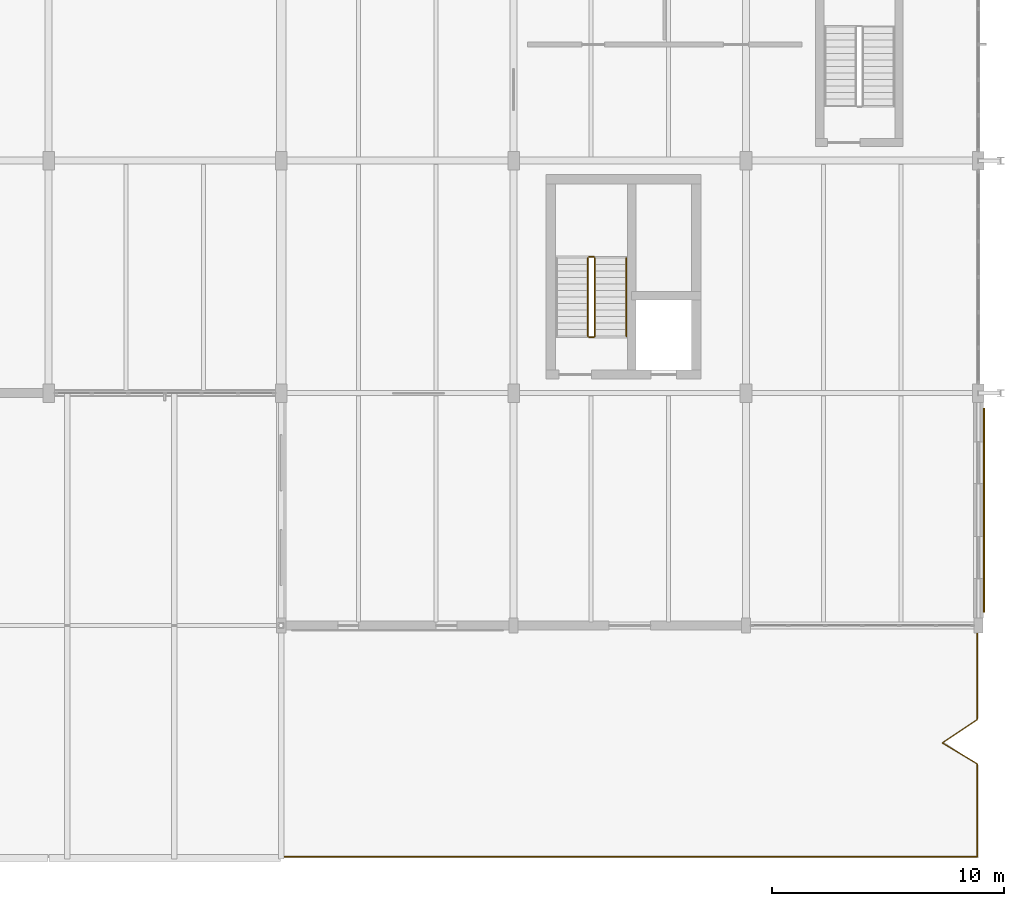
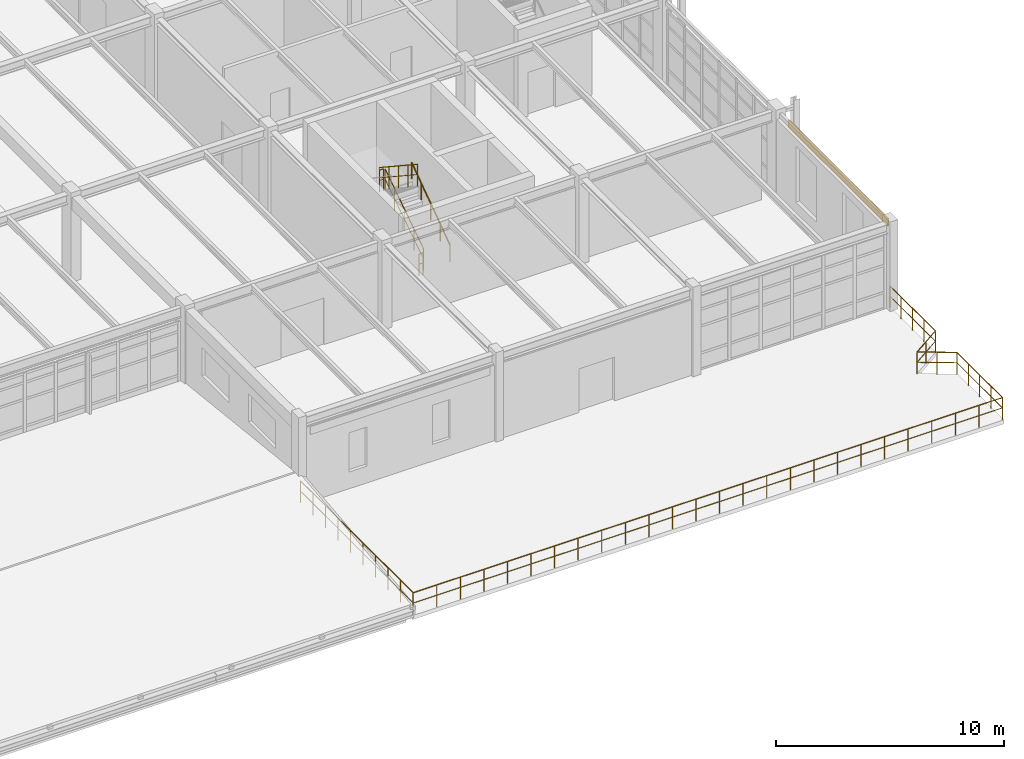
# One storey, part 136 of 139: 6 railings, 1 covering.
"""IFC4 building model written with IfcOpenShell, lengths in metres."""

import ifcopenshell
import ifcopenshell.guid

model = None  # the IFC model being written
_history = None  # IfcOwnerHistory: only IFC2X3 demands one
_inside = {}  # id of a spatial element -> (the spatial element, [elements in it])
_under = {}  # id of a project, library or spatial element -> (it, [spatial elements below it])
_declared = {}  # id of a project -> (the project, [libraries it declares])
_typed = {}  # id of a type object -> (the type object, [elements of that type])
_made_of = {}  # id of a material, layer set ... -> (it, [elements and type objects made of it])


def new_model(schema):
    """Start an empty IFC model of exactly this schema.

    Asked for "IFC4X3", IfcOpenShell would pick the latest addendum, in which some entities
    have other attributes; the version numbers below select the first issue.
    IFC2X3 requires an IfcOwnerHistory on every rooted entity: one is made here for all.
    """
    global model, _history
    if schema == "IFC4X3":
        model = ifcopenshell.file(schema_version=(4, 3, 0, 0))
    else:
        model = ifcopenshell.file(schema=schema)
    _inside.clear()
    _under.clear()
    _declared.clear()
    _typed.clear()
    _made_of.clear()
    _history = None
    if model.schema == "IFC2X3":
        org = make("IfcOrganization", Name="unknown")
        user = make(
            "IfcPersonAndOrganization",
            ThePerson=make("IfcPerson", FamilyName="unknown"),
            TheOrganization=org,
        )
        app = make(
            "IfcApplication",
            ApplicationDeveloper=org,
            Version="unknown",
            ApplicationFullName="unknown",
            ApplicationIdentifier="unknown",
        )
        _history = make(
            "IfcOwnerHistory",
            OwningUser=user,
            OwningApplication=app,
            ChangeAction="ADDED",
            CreationDate=0,
        )
    return model


def make(cls, **values):
    """One entity of the class cls with the attributes given. An attribute that is None is left unset."""
    return model.create_entity(
        cls, **{name: value for name, value in values.items() if value is not None}
    )


def rooted(cls, **values):
    """An entity with a GlobalId (a new one), such as an element, a storey or a relation."""
    return make(cls, GlobalId=ifcopenshell.guid.new(), OwnerHistory=_history, **values)


def si_unit(unit_type, name, prefix=None):
    """IfcSIUnit, for example si_unit("LENGTHUNIT", "METRE", prefix="MILLI")."""
    return make("IfcSIUnit", UnitType=unit_type, Prefix=prefix, Name=name)


def assignment(units):
    """IfcUnitAssignment: the units of a project."""
    return None if units is None else make("IfcUnitAssignment", Units=units)


def point(xyz):
    """IfcCartesianPoint."""
    return None if xyz is None else make("IfcCartesianPoint", Coordinates=xyz)


def direction(xyz):
    """IfcDirection."""
    return None if xyz is None else make("IfcDirection", DirectionRatios=xyz)


def frame(location, z_axis=None, x_axis=None):
    """IfcAxis2Placement3D, a coordinate frame: its origin and axes. An axis left out is left unset."""
    return make(
        "IfcAxis2Placement3D",
        Location=point(location),
        Axis=direction(z_axis),
        RefDirection=direction(x_axis),
    )


def frame_2d(location, x_axis=None):
    """IfcAxis2Placement2D, a coordinate frame in the plane: its origin and x axis."""
    return make(
        "IfcAxis2Placement2D", Location=point(location), RefDirection=direction(x_axis)
    )


def origin():
    """The frame at (0, 0, 0) with its axes left unset."""
    return frame((0.0, 0.0, 0.0))


def origin_2d():
    """The frame at (0, 0) in the plane with its x axis left unset."""
    return frame_2d((0.0, 0.0))


def place(relative_to, where):
    """IfcLocalPlacement: puts the frame where relative to a parent placement (None: the world)."""
    return make(
        "IfcLocalPlacement", PlacementRelTo=relative_to, RelativePlacement=where
    )


def context(
    kind, dimensions, precision=None, world=None, true_north=None, identifier=None
):
    """IfcGeometricRepresentationContext, for example the 3D "Model" context."""
    return make(
        "IfcGeometricRepresentationContext",
        ContextIdentifier=identifier,
        ContextType=kind,
        CoordinateSpaceDimension=dimensions,
        Precision=precision,
        WorldCoordinateSystem=world,
        TrueNorth=true_north,
    )


def subcontext(parent, identifier, kind, view, scale=None):
    """IfcGeometricRepresentationSubContext, for example "Body" below "Model"."""
    return make(
        "IfcGeometricRepresentationSubContext",
        ContextIdentifier=identifier,
        ContextType=kind,
        ParentContext=parent,
        TargetScale=scale,
        TargetView=view,
    )


def project(units=None, contexts=None):
    """IfcProject with its units and contexts."""
    return rooted(
        "IfcProject",
        Name="project",
        RepresentationContexts=contexts,
        UnitsInContext=assignment(units),
    )


def spatial(cls, under=None, at=None, **own):
    """A site, building, storey or space (cls), placed at a placement, below another one or the project."""
    s = rooted(cls, ObjectPlacement=at, **own)
    if under is not None:
        _under.setdefault(under.id(), (under, []))[1].append(s)
    return s


def polyline(points):
    """IfcPolyline through the points."""
    return make("IfcPolyline", Points=[point(p) for p in points])


def profile(cls, at=None, kind="AREA", **sizes):
    """A parametric profile (cls). Its sizes go by their IFC names, for example OverallWidth=200.0."""
    return make(cls, ProfileType=kind, Position=at, **sizes)


def circle(**sizes):
    """IfcCircleProfileDef."""
    return profile("IfcCircleProfileDef", **sizes)


def outline(outer, holes=None, kind="AREA"):
    """IfcArbitraryClosedProfileDef: a profile drawn as a closed curve; with holes, ...WithVoids."""
    if holes is None:
        return make("IfcArbitraryClosedProfileDef", ProfileType=kind, OuterCurve=outer)
    return make(
        "IfcArbitraryProfileDefWithVoids",
        ProfileType=kind,
        OuterCurve=outer,
        InnerCurves=holes,
    )


def extrude(swept, where, along, depth):
    """IfcExtrudedAreaSolid: the profile swept, set in the frame where, extruded along a direction by depth."""
    return make(
        "IfcExtrudedAreaSolid",
        SweptArea=swept,
        Position=where,
        ExtrudedDirection=direction(along),
        Depth=depth,
    )


def shape(context_of_items, identifier, shape_type, items):
    """IfcShapeRepresentation: the items that make up one representation, for example the "Body"."""
    return make(
        "IfcShapeRepresentation",
        ContextOfItems=context_of_items,
        RepresentationIdentifier=identifier,
        RepresentationType=shape_type,
        Items=items,
    )


def material(Name=None, Category=None):
    """IfcMaterial."""
    return make("IfcMaterial", Name=Name, Category=Category)


def layer(
    of_material, thickness, ventilated=None, Name=None, Category=None, Priority=None
):
    """IfcMaterialLayer: one layer of a wall or slab, of a material (None: an air gap)."""
    return make(
        "IfcMaterialLayer",
        Material=of_material,
        LayerThickness=thickness,
        IsVentilated=ventilated,
        Name=Name,
        Category=Category,
        Priority=Priority,
    )


def layer_set(layers, Name=None):
    """IfcMaterialLayerSet."""
    return make("IfcMaterialLayerSet", MaterialLayers=layers, LayerSetName=Name)


def made_of(thing, what):
    """Note that an element or type object is made of a material, layer set ...; save() writes the relation."""
    if what is not None:
        _made_of.setdefault(what.id(), (what, []))[1].append(thing)
    return thing


def type_object(cls, material=None, **own):
    """A type object (cls), such as IfcWallType, which elements share."""
    return made_of(rooted(cls, **own), material)


def element(
    cls,
    number,
    at=None,
    inside=None,
    cuts=None,
    type_object=None,
    material=None,
    context=None,
    identifier="Body",
    shape_type=None,
    held_by="IfcProductDefinitionShape",
    body=None,
    shapes=None,
    **own,
):
    """One element of the class cls, such as IfcWall. Its Tag is "e" and its number.

    at: its placement. inside: the storey or other place that contains it. cuts: it is an
    opening in that element (IfcRelVoidsElement). A single representation is given by context,
    identifier, shape_type and body (its items); several are given by shapes. held_by: the class
    of the entity that holds the representations. save() writes the other relations.
    """
    e = rooted(cls, Tag="e%d" % number, ObjectPlacement=at, **own)
    if body is not None:
        shapes = [shape(context, identifier, shape_type, body)]
    if shapes is not None:
        e.Representation = make(held_by, Representations=shapes)
    if inside is not None:
        _inside.setdefault(inside.id(), (inside, []))[1].append(e)
    if cuts is not None:
        rooted(
            "IfcRelVoidsElement", RelatingBuildingElement=cuts, RelatedOpeningElement=e
        )
    if type_object is not None:
        _typed.setdefault(type_object.id(), (type_object, []))[1].append(e)
    return made_of(e, material)


def aggregate(whole, parts):
    """IfcRelAggregates: a whole, such as a stair, and the parts it consists of."""
    return rooted("IfcRelAggregates", RelatingObject=whole, RelatedObjects=parts)


def save(model, path):
    """Write the relations noted so far, then the file.

    IfcRelAggregates (storeys below a building ...), IfcRelContainedInSpatialStructure (elements
    in a storey), IfcRelDefinesByType, IfcRelAssociatesMaterial and IfcRelDeclares: one each for
    every whole, place, type object, material and project.
    """
    for whole, parts in _under.values():
        aggregate(whole, parts)
    for where, things in _inside.values():
        rooted(
            "IfcRelContainedInSpatialStructure",
            RelatedElements=things,
            RelatingStructure=where,
        )
    for kind, things in _typed.values():
        rooted("IfcRelDefinesByType", RelatedObjects=things, RelatingType=kind)
    for what, things in _made_of.values():
        rooted("IfcRelAssociatesMaterial", RelatedObjects=things, RelatingMaterial=what)
    for by, libraries in _declared.values():
        rooted("IfcRelDeclares", RelatingContext=by, RelatedDefinitions=libraries)
    model.write(path)


model = new_model("IFC4")

# Units and contexts
model_context = context("Model", 3, precision=1e-05, world=origin(), true_north=direction((0.0, 1.0)))
body_context = subcontext(model_context, "Body", "Model", "MODEL_VIEW")
ifc_project = project(units=[si_unit("LENGTHUNIT", "METRE"), si_unit("AREAUNIT", "SQUARE_METRE"), si_unit("VOLUMEUNIT", "CUBIC_METRE"), si_unit("PLANEANGLEUNIT", "RADIAN"), si_unit("MASSUNIT", "GRAM", prefix="KILO"), si_unit("THERMODYNAMICTEMPERATUREUNIT", "KELVIN"), si_unit("POWERUNIT", "WATT")], contexts=[model_context])

# Site, building, storey
site_placement = place(None, origin())
site = spatial("IfcSite", under=ifc_project, at=site_placement, CompositionType="ELEMENT")
building_placement = place(site_placement, origin())
building = spatial("IfcBuilding", under=site, at=building_placement, Name="Korenveer Ferry Terminal", CompositionType="ELEMENT")
storey_placement = place(building_placement, frame((0.0, 0.0, 5.39990234375)))
storey = spatial("IfcBuildingStorey", under=building, at=storey_placement, Name="L01", CompositionType="ELEMENT", Elevation=5.39990234375)

# Covering
ifc_material_1 = material(Name="Carved Belgian bluestone spandrel cladding", Category="masonry")
ifc_layer = layer(ifc_material_1, 0.050048828125)
ifc_layer_set = layer_set([ifc_layer], Name="Carved Belgian bluestone spandrel cladding")
covering_type = type_object("IfcCoveringType", Name="ENV-COV-STONE", PredefinedType="CLADDING", material=ifc_layer_set)
covering_placement = place(storey_placement, frame((0.0, 0.0, 3.880126953125)))
element("IfcCovering", 1, at=covering_placement, inside=storey, type_object=covering_type, Name="Belgian bluestone spandrel band 18", PredefinedType="CLADDING", context=body_context, shape_type="SweptSolid", body=[
    extrude(outline(polyline([(176.215087890625, 10.574951171875), (176.264892578125, 10.574951171875), (176.264892578125, 19.35009765625), (176.215087890625, 19.35009765625), (176.215087890625, 10.574951171875)])), origin(), (0.0, 0.0, 1.0), 0.419921875),
])

# Railings
ifc_material_2 = material(Name="Marine stainless and bronze balustrade", Category="aluminium")
railing_type_1 = type_object("IfcRailingType", Name="ENV-RL-BAL120", PredefinedType="BALUSTRADE", material=ifc_material_2)
railing_1_placement = place(storey_placement, frame((146.050048828125, 9.949951171875, 0.0)))
element("IfcRailing", 2, at=railing_1_placement, inside=storey, type_object=railing_type_1, Name="Outdoor terrace balustrade 2", PredefinedType="BALUSTRADE", context=body_context, shape_type="SweptSolid", body=[
    extrude(circle(Radius=0.02392578125, at=origin_2d()), frame((0.0, 0.0, 1.17578125), z_axis=(0.0, -1.0, 0.0), x_axis=(1.0, 0.0, 0.0)), (0.0, 0.0, 1.0), 9.89990234375),
    extrude(circle(Radius=0.01806640625, at=origin_2d()), frame((0.0, 0.0, 0.6240234375), z_axis=(0.0, -1.0, 0.0), x_axis=(1.0, 0.0, 0.0)), (0.0, 0.0, 1.0), 9.89990234375),
    extrude(circle(Radius=0.02392578125, at=origin_2d()), frame((0.0, -9.89990234375, 1.17578125), z_axis=(1.0, 0.0, 0.0), x_axis=(0.0, 1.0, 0.0)), (0.0, 0.0, 1.0), 29.89990234375),
    extrude(circle(Radius=0.01806640625, at=origin_2d()), frame((0.0, -9.89990234375, 0.6240234375), z_axis=(1.0, 0.0, 0.0), x_axis=(0.0, 1.0, 0.0)), (0.0, 0.0, 1.0), 29.89990234375),
    extrude(circle(Radius=0.02392578125, at=origin_2d()), frame((29.89990234375, -9.89990234375, 1.17578125), z_axis=(0.0, 1.0, 0.0), x_axis=(-1.0, 0.0, 0.0)), (0.0, 0.0, 1.0), 4.0),
    extrude(circle(Radius=0.01806640625, at=origin_2d()), frame((29.89990234375, -9.89990234375, 0.6240234375), z_axis=(0.0, 1.0, 0.0), x_axis=(-1.0, 0.0, 0.0)), (0.0, 0.0, 1.0), 4.0),
    extrude(circle(Radius=0.02392578125, at=origin_2d()), frame((29.89990234375, -5.89990234375, 1.17578125), z_axis=(-0.857517554715, 0.514454704863, 0.0), x_axis=(-0.514454704863, -0.857517554715, 0.0)), (0.0, 0.0, 1.0), 1.749267578125),
    extrude(circle(Radius=0.01806640625, at=origin_2d()), frame((29.89990234375, -5.89990234375, 0.6240234375), z_axis=(-0.857517554715, 0.514454704863, 0.0), x_axis=(-0.514454704863, -0.857517554715, 0.0)), (0.0, 0.0, 1.0), 1.749267578125),
    extrude(circle(Radius=0.02392578125, at=origin_2d()), frame((28.39990234375, -5.0, 1.17578125), z_axis=(0.832050294338, 0.554700196225, 0.0), x_axis=(-0.554700196225, 0.832050294338, 0.0)), (0.0, 0.0, 1.0), 1.802734375),
    extrude(circle(Radius=0.01806640625, at=origin_2d()), frame((28.39990234375, -5.0, 0.6240234375), z_axis=(0.832050294338, 0.554700196225, 0.0), x_axis=(-0.554700196225, 0.832050294338, 0.0)), (0.0, 0.0, 1.0), 1.802734375),
    extrude(circle(Radius=0.02392578125, at=origin_2d()), frame((29.89990234375, -4.0, 1.17578125), z_axis=(0.0, 1.0, 0.0), x_axis=(-1.0, 0.0, 0.0)), (0.0, 0.0, 1.0), 4.0),
    extrude(circle(Radius=0.01806640625, at=origin_2d()), frame((29.89990234375, -4.0, 0.6240234375), z_axis=(0.0, 1.0, 0.0), x_axis=(-1.0, 0.0, 0.0)), (0.0, 0.0, 1.0), 4.0),
    extrude(circle(Radius=0.02099609375, at=origin_2d()), origin(), (0.0, 0.0, 1.0), 1.15185546875),
    extrude(circle(Radius=0.02099609375, at=origin_2d()), frame((0.0, -1.10009765625, 0.0)), (0.0, 0.0, 1.0), 1.15185546875),
    extrude(circle(Radius=0.02099609375, at=origin_2d()), frame((0.0, -2.199951171875, 0.0)), (0.0, 0.0, 1.0), 1.15185546875),
    extrude(circle(Radius=0.02099609375, at=origin_2d()), frame((0.0, -3.300048828125, 0.0)), (0.0, 0.0, 1.0), 1.15185546875),
    extrude(circle(Radius=0.02099609375, at=origin_2d()), frame((0.0, -4.39990234375, 0.0)), (0.0, 0.0, 1.0), 1.15185546875),
    extrude(circle(Radius=0.02099609375, at=origin_2d()), frame((0.0, -5.5, 0.0)), (0.0, 0.0, 1.0), 1.15185546875),
    extrude(circle(Radius=0.02099609375, at=origin_2d()), frame((0.0, -6.599853515625, 0.0)), (0.0, 0.0, 1.0), 1.15185546875),
    extrude(circle(Radius=0.02099609375, at=origin_2d()), frame((0.0, -7.699951171875, 0.0)), (0.0, 0.0, 1.0), 1.15185546875),
    extrude(circle(Radius=0.02099609375, at=origin_2d()), frame((0.0, -8.7998046875, 0.0)), (0.0, 0.0, 1.0), 1.15185546875),
    extrude(circle(Radius=0.02099609375, at=origin_2d()), frame((0.0, -9.89990234375, 0.0)), (0.0, 0.0, 1.0), 1.15185546875),
    extrude(circle(Radius=0.02099609375, at=origin_2d()), frame((1.196044921875, -9.89990234375, 0.0)), (0.0, 0.0, 1.0), 1.15185546875),
    extrude(circle(Radius=0.02099609375, at=origin_2d()), frame((2.39208984375, -9.89990234375, 0.0)), (0.0, 0.0, 1.0), 1.15185546875),
    extrude(circle(Radius=0.02099609375, at=origin_2d()), frame((3.587890625, -9.89990234375, 0.0)), (0.0, 0.0, 1.0), 1.15185546875),
    extrude(circle(Radius=0.02099609375, at=origin_2d()), frame((4.783935546875, -9.89990234375, 0.0)), (0.0, 0.0, 1.0), 1.15185546875),
    extrude(circle(Radius=0.02099609375, at=origin_2d()), frame((5.97998046875, -9.89990234375, 0.0)), (0.0, 0.0, 1.0), 1.15185546875),
    extrude(circle(Radius=0.02099609375, at=origin_2d()), frame((7.176025390625, -9.89990234375, 0.0)), (0.0, 0.0, 1.0), 1.15185546875),
    extrude(circle(Radius=0.02099609375, at=origin_2d()), frame((8.3720703125, -9.89990234375, 0.0)), (0.0, 0.0, 1.0), 1.15185546875),
    extrude(circle(Radius=0.02099609375, at=origin_2d()), frame((9.56787109375, -9.89990234375, 0.0)), (0.0, 0.0, 1.0), 1.15185546875),
    extrude(circle(Radius=0.02099609375, at=origin_2d()), frame((10.763916015625, -9.89990234375, 0.0)), (0.0, 0.0, 1.0), 1.15185546875),
    extrude(circle(Radius=0.02099609375, at=origin_2d()), frame((11.9599609375, -9.89990234375, 0.0)), (0.0, 0.0, 1.0), 1.15185546875),
    extrude(circle(Radius=0.02099609375, at=origin_2d()), frame((13.156005859375, -9.89990234375, 0.0)), (0.0, 0.0, 1.0), 1.15185546875),
    extrude(circle(Radius=0.02099609375, at=origin_2d()), frame((14.35205078125, -9.89990234375, 0.0)), (0.0, 0.0, 1.0), 1.15185546875),
    extrude(circle(Radius=0.02099609375, at=origin_2d()), frame((15.5478515625, -9.89990234375, 0.0)), (0.0, 0.0, 1.0), 1.15185546875),
    extrude(circle(Radius=0.02099609375, at=origin_2d()), frame((16.743896484375, -9.89990234375, 0.0)), (0.0, 0.0, 1.0), 1.15185546875),
    extrude(circle(Radius=0.02099609375, at=origin_2d()), frame((17.93994140625, -9.89990234375, 0.0)), (0.0, 0.0, 1.0), 1.15185546875),
    extrude(circle(Radius=0.02099609375, at=origin_2d()), frame((19.135986328125, -9.89990234375, 0.0)), (0.0, 0.0, 1.0), 1.15185546875),
    extrude(circle(Radius=0.02099609375, at=origin_2d()), frame((20.33203125, -9.89990234375, 0.0)), (0.0, 0.0, 1.0), 1.15185546875),
    extrude(circle(Radius=0.02099609375, at=origin_2d()), frame((21.52783203125, -9.89990234375, 0.0)), (0.0, 0.0, 1.0), 1.15185546875),
    extrude(circle(Radius=0.02099609375, at=origin_2d()), frame((22.723876953125, -9.89990234375, 0.0)), (0.0, 0.0, 1.0), 1.15185546875),
    extrude(circle(Radius=0.02099609375, at=origin_2d()), frame((23.919921875, -9.89990234375, 0.0)), (0.0, 0.0, 1.0), 1.15185546875),
    extrude(circle(Radius=0.02099609375, at=origin_2d()), frame((25.115966796875, -9.89990234375, 0.0)), (0.0, 0.0, 1.0), 1.15185546875),
    extrude(circle(Radius=0.02099609375, at=origin_2d()), frame((26.31201171875, -9.89990234375, 0.0)), (0.0, 0.0, 1.0), 1.15185546875),
    extrude(circle(Radius=0.02099609375, at=origin_2d()), frame((27.5078125, -9.89990234375, 0.0)), (0.0, 0.0, 1.0), 1.15185546875),
    extrude(circle(Radius=0.02099609375, at=origin_2d()), frame((28.703857421875, -9.89990234375, 0.0)), (0.0, 0.0, 1.0), 1.15185546875),
    extrude(circle(Radius=0.02099609375, at=origin_2d()), frame((29.89990234375, -9.89990234375, 0.0)), (0.0, 0.0, 1.0), 1.15185546875),
    extrude(circle(Radius=0.02099609375, at=origin_2d()), frame((29.89990234375, -8.89990234375, 0.0)), (0.0, 0.0, 1.0), 1.15185546875),
    extrude(circle(Radius=0.02099609375, at=origin_2d()), frame((29.89990234375, -7.89990234375, 0.0)), (0.0, 0.0, 1.0), 1.15185546875),
    extrude(circle(Radius=0.02099609375, at=origin_2d()), frame((29.89990234375, -6.89990234375, 0.0)), (0.0, 0.0, 1.0), 1.15185546875),
    extrude(circle(Radius=0.02099609375, at=origin_2d()), frame((29.89990234375, -5.89990234375, 0.0)), (0.0, 0.0, 1.0), 1.15185546875),
    extrude(circle(Radius=0.02099609375, at=origin_2d()), frame((29.14990234375, -5.449951171875, 0.0)), (0.0, 0.0, 1.0), 1.15185546875),
    extrude(circle(Radius=0.02099609375, at=origin_2d()), frame((28.39990234375, -5.0, 0.0)), (0.0, 0.0, 1.0), 1.15185546875),
    extrude(circle(Radius=0.02099609375, at=origin_2d()), frame((29.14990234375, -4.5, 0.0)), (0.0, 0.0, 1.0), 1.15185546875),
    extrude(circle(Radius=0.02099609375, at=origin_2d()), frame((29.89990234375, -4.0, 0.0)), (0.0, 0.0, 1.0), 1.15185546875),
    extrude(circle(Radius=0.02099609375, at=origin_2d()), frame((29.89990234375, -3.0, 0.0)), (0.0, 0.0, 1.0), 1.15185546875),
    extrude(circle(Radius=0.02099609375, at=origin_2d()), frame((29.89990234375, -2.0, 0.0)), (0.0, 0.0, 1.0), 1.15185546875),
    extrude(circle(Radius=0.02099609375, at=origin_2d()), frame((29.89990234375, -1.0, 0.0)), (0.0, 0.0, 1.0), 1.15185546875),
    extrude(circle(Radius=0.02099609375, at=origin_2d()), frame((29.89990234375, 0.0, 0.0)), (0.0, 0.0, 1.0), 1.15185546875),
])
ifc_material_3 = material(Name="Brushed stainless steel handrail", Category="steel")
railing_type_2 = type_object("IfcRailingType", Name="INT-RL-HND90", PredefinedType="HANDRAIL", material=ifc_material_3)
railing_2_placement = place(storey_placement, frame((160.85009765625, 22.449951171875, 0.184814453125)))
element("IfcRailing", 3, at=railing_2_placement, inside=storey, type_object=railing_type_2, Name="L01 ST03 stair handrail 1", PredefinedType="HANDRAIL", context=body_context, shape_type="SweptSolid", body=[
    extrude(circle(Radius=0.02392578125, at=origin_2d()), frame((0.0, 0.0, 0.8759765625), z_axis=(0.0, 0.813753445783, 0.581210228297), x_axis=(-1.0, 0.0, 0.0)), (0.0, 0.0, 1.0), 4.129150390625),
    extrude(circle(Radius=0.02099609375, at=origin_2d()), origin(), (0.0, 0.0, 1.0), 0.851806640625),
    extrude(circle(Radius=0.02099609375, at=origin_2d()), frame((0.0, 0.840087890625, 0.60009765625)), (0.0, 0.0, 1.0), 0.851806640625),
    extrude(circle(Radius=0.02099609375, at=origin_2d()), frame((0.0, 1.68017578125, 1.199951171875)), (0.0, 0.0, 1.0), 0.851806640625),
    extrude(circle(Radius=0.02099609375, at=origin_2d()), frame((0.0, 2.52001953125, 1.7998046875)), (0.0, 0.0, 1.0), 0.851806640625),
    extrude(circle(Radius=0.02099609375, at=origin_2d()), frame((0.0, 3.360107421875, 2.39990234375)), (0.0, 0.0, 1.0), 0.851806640625),
])
ifc_material_4 = material(Name="Painted steel stair guard", Category="steel")
railing_type_3 = type_object("IfcRailingType", Name="INT-RL-STGRD", PredefinedType="GUARDRAIL", material=ifc_material_4)
railing_3_placement = place(storey_placement, frame((159.5, 22.449951171875, 0.184814453125)))
element("IfcRailing", 4, at=railing_3_placement, inside=storey, type_object=railing_type_3, Name="L01 ST03 stair guard 1", PredefinedType="GUARDRAIL", context=body_context, shape_type="SweptSolid", body=[
    extrude(circle(Radius=0.02392578125, at=origin_2d()), frame((0.0, 0.0, 1.17578125), z_axis=(0.0, 0.834876476806, 0.550437342915), x_axis=(-1.0, 0.0, 0.0)), (0.0, 0.0, 1.0), 4.024658203125),
    extrude(circle(Radius=0.01806640625, at=origin_2d()), frame((0.0, 0.0, 0.6240234375), z_axis=(0.0, 0.834876476806, 0.550437342915), x_axis=(-1.0, 0.0, 0.0)), (0.0, 0.0, 1.0), 4.024658203125),
    extrude(circle(Radius=0.02099609375, at=origin_2d()), origin(), (0.0, 0.0, 1.0), 1.15185546875),
    extrude(circle(Radius=0.02099609375, at=origin_2d()), frame((0.0, 0.840087890625, 0.5537109375)), (0.0, 0.0, 1.0), 1.15185546875),
    extrude(circle(Radius=0.02099609375, at=origin_2d()), frame((0.0, 1.68017578125, 1.107666015625)), (0.0, 0.0, 1.0), 1.15185546875),
    extrude(circle(Radius=0.02099609375, at=origin_2d()), frame((0.0, 2.52001953125, 1.66162109375)), (0.0, 0.0, 1.0), 1.15185546875),
    extrude(circle(Radius=0.02099609375, at=origin_2d()), frame((0.0, 3.360107421875, 2.21533203125)), (0.0, 0.0, 1.0), 1.15185546875),
])
railing_4_placement = place(storey_placement, frame((159.449951171875, 25.860107421875, 2.400146484375)))
element("IfcRailing", 5, at=railing_4_placement, inside=storey, type_object=railing_type_3, Name="L01 ST03 stair guard 2", PredefinedType="GUARDRAIL", context=body_context, shape_type="SweptSolid", body=[
    extrude(circle(Radius=0.02392578125, at=origin_2d()), frame((0.0, 0.0, 1.17578125), z_axis=(-1.0, 0.0, 0.0), x_axis=(0.0, -1.0, 0.0)), (0.0, 0.0, 1.0), 0.199951171875),
    extrude(circle(Radius=0.01806640625, at=origin_2d()), frame((0.0, 0.0, 0.6240234375), z_axis=(-1.0, 0.0, 0.0), x_axis=(0.0, -1.0, 0.0)), (0.0, 0.0, 1.0), 0.199951171875),
    extrude(circle(Radius=0.02099609375, at=origin_2d()), origin(), (0.0, 0.0, 1.0), 1.15185546875),
    extrude(circle(Radius=0.02099609375, at=origin_2d()), frame((-0.199951171875, 0.0, 0.0)), (0.0, 0.0, 1.0), 1.15185546875),
])
railing_5_placement = place(storey_placement, frame((159.199951171875, 25.81005859375, 2.584716796875)))
element("IfcRailing", 6, at=railing_5_placement, inside=storey, type_object=railing_type_3, Name="L01 ST03 stair guard 3", PredefinedType="GUARDRAIL", context=body_context, shape_type="SweptSolid", body=[
    extrude(circle(Radius=0.02392578125, at=origin_2d()), frame((0.0, 0.0, 1.17578125), z_axis=(0.0, -0.834876476806, 0.550437342915), x_axis=(1.0, 0.0, 0.0)), (0.0, 0.0, 1.0), 4.024658203125),
    extrude(circle(Radius=0.01806640625, at=origin_2d()), frame((0.0, 0.0, 0.6240234375), z_axis=(0.0, -0.834876476806, 0.550437342915), x_axis=(1.0, 0.0, 0.0)), (0.0, 0.0, 1.0), 4.024658203125),
    extrude(circle(Radius=0.02099609375, at=origin_2d()), origin(), (0.0, 0.0, 1.0), 1.15185546875),
    extrude(circle(Radius=0.02099609375, at=origin_2d()), frame((0.0, -0.840087890625, 0.5537109375)), (0.0, 0.0, 1.0), 1.15185546875),
    extrude(circle(Radius=0.02099609375, at=origin_2d()), frame((0.0, -1.68017578125, 1.107666015625)), (0.0, 0.0, 1.0), 1.15185546875),
    extrude(circle(Radius=0.02099609375, at=origin_2d()), frame((0.0, -2.52001953125, 1.66162109375)), (0.0, 0.0, 1.0), 1.15185546875),
    extrude(circle(Radius=0.02099609375, at=origin_2d()), frame((0.0, -3.360107421875, 2.21533203125)), (0.0, 0.0, 1.0), 1.15185546875),
])
railing_6_placement = place(storey_placement, frame((159.449951171875, 22.39990234375, 0.0)))
element("IfcRailing", 7, at=railing_6_placement, inside=storey, type_object=railing_type_3, Name="L01 ST03 stair guard 4", PredefinedType="GUARDRAIL", context=body_context, shape_type="SweptSolid", body=[
    extrude(circle(Radius=0.02392578125, at=origin_2d()), frame((0.0, 0.0, 1.17578125), z_axis=(-1.0, 0.0, 0.0), x_axis=(0.0, -1.0, 0.0)), (0.0, 0.0, 1.0), 0.199951171875),
    extrude(circle(Radius=0.01806640625, at=origin_2d()), frame((0.0, 0.0, 0.6240234375), z_axis=(-1.0, 0.0, 0.0), x_axis=(0.0, -1.0, 0.0)), (0.0, 0.0, 1.0), 0.199951171875),
    extrude(circle(Radius=0.02099609375, at=origin_2d()), origin(), (0.0, 0.0, 1.0), 1.15185546875),
    extrude(circle(Radius=0.02099609375, at=origin_2d()), frame((-0.199951171875, 0.0, 0.0)), (0.0, 0.0, 1.0), 1.15185546875),
])

save(model, "model.ifc")
